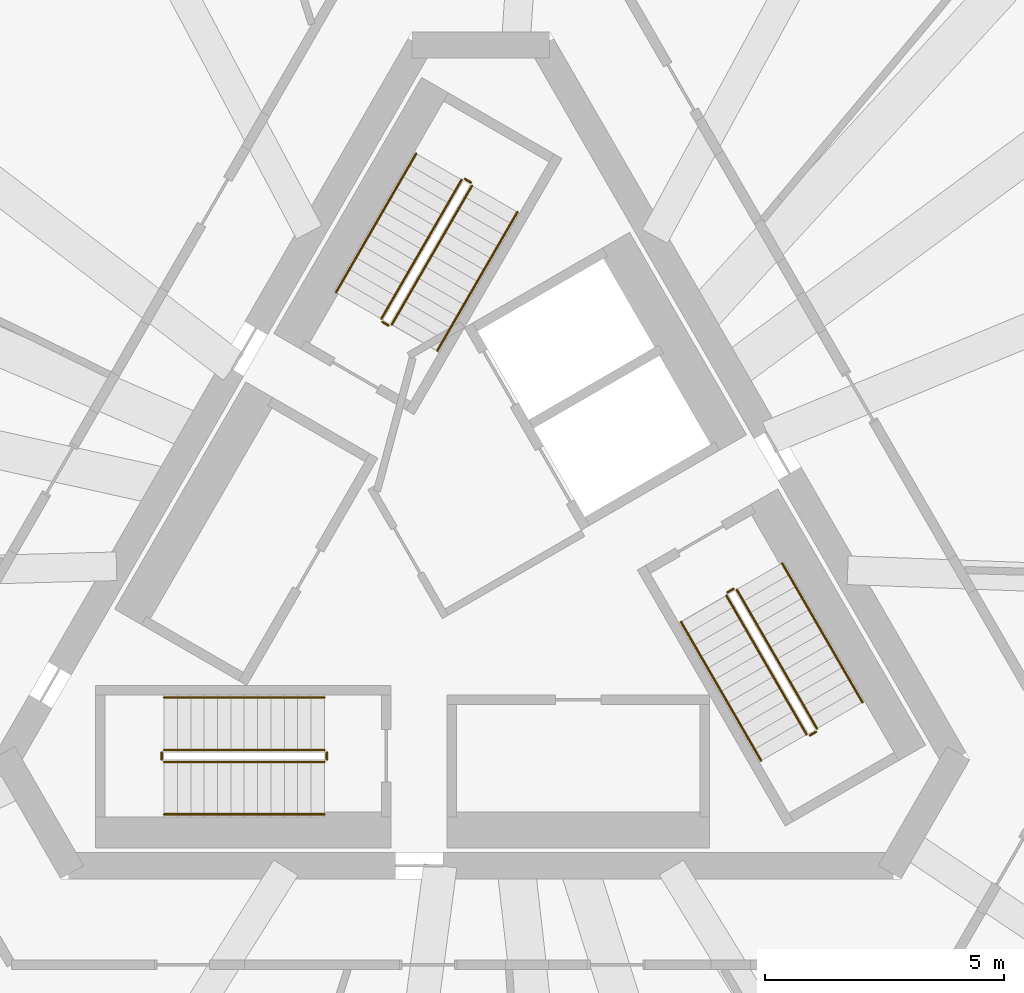
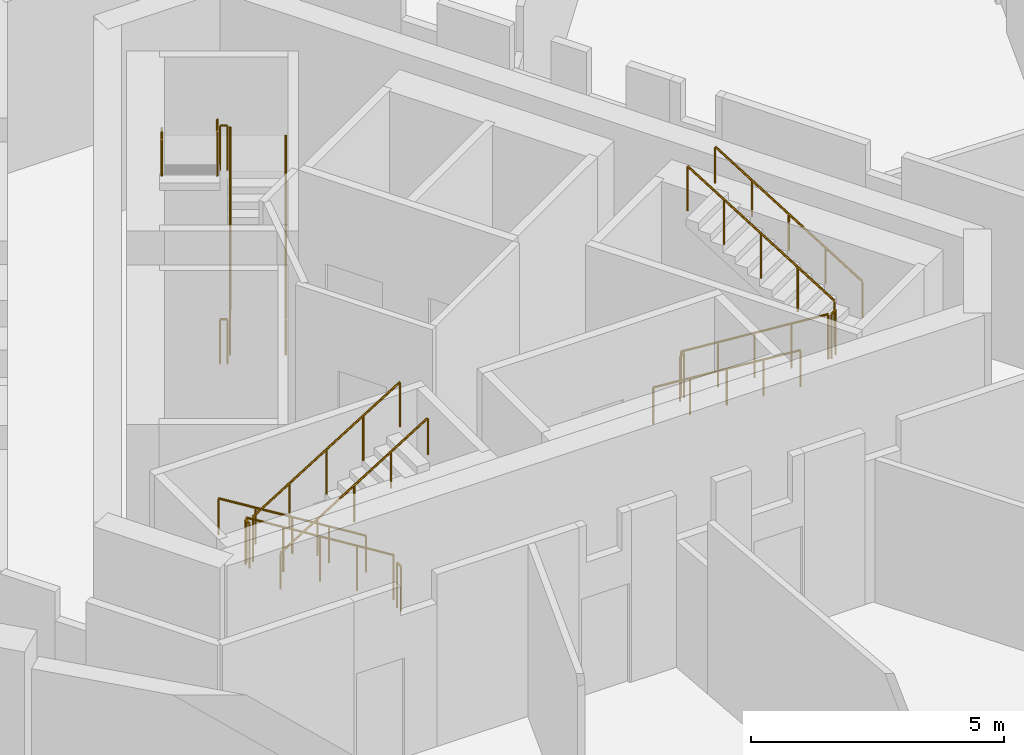
# One storey, part 5 of 5: 18 railings.
"""IFC4 building model written with IfcOpenShell, lengths in metres."""

from ifc_helpers import new_model, si_unit, direction, frame, origin, origin_2d, place, context, subcontext, project, spatial, circle, extrude, material, type_object, element, save


model = new_model("IFC4")

# Units and contexts
model_context = context("Model", 3, precision=1e-05, world=origin(), true_north=direction((0.0, 1.0)))
body_context = subcontext(model_context, "Body", "Model", "MODEL_VIEW")
ifc_project = project(units=[si_unit("LENGTHUNIT", "METRE"), si_unit("AREAUNIT", "SQUARE_METRE"), si_unit("VOLUMEUNIT", "CUBIC_METRE"), si_unit("PLANEANGLEUNIT", "RADIAN"), si_unit("MASSUNIT", "GRAM", prefix="KILO")], contexts=[model_context])

# Site, building, storey
site_placement = place(None, origin())
site = spatial("IfcSite", under=ifc_project, at=site_placement, CompositionType="ELEMENT")
building_placement = place(site_placement, origin())
building = spatial("IfcBuilding", under=site, at=building_placement, Name="Tramontana Tower", CompositionType="ELEMENT")
storey_placement = place(building_placement, frame((0.0, 0.0, 361.39990234375)))
storey = spatial("IfcBuildingStorey", under=building, at=storey_placement, Name="L83", CompositionType="ELEMENT", Elevation=361.39990234375)

# Railings
ifc_material_1 = material(Name="Painted steel", Category="steel")
railing_type_1 = type_object("IfcRailingType", Name="STAIR GUARD 1100", PredefinedType="GUARDRAIL", material=ifc_material_1)
railing_1_placement = place(storey_placement, frame((-1.867431640625, 4.865478515625, 0.173095703125)))
element("IfcRailing", 1, at=railing_1_placement, inside=storey, type_object=railing_type_1, Name="L83 ST1 stair guard 1", PredefinedType="GUARDRAIL", context=body_context, shape_type="SweptSolid", body=[
    extrude(circle(Radius=0.02392578125, at=origin_2d()), frame((0.0, 0.0, 1.076171875), z_axis=(0.425288379326, 0.736667954249, 0.525785240943), x_axis=(-0.866039179741, 0.499976138585, 0.0)), (0.0, 0.0, 1.0), 3.9501953125),
    extrude(circle(Radius=0.02099609375, at=origin_2d()), origin(), (0.0, 0.0, 1.0), 1.052001953125),
    extrude(circle(Radius=0.02099609375, at=origin_2d()), frame((0.419921875, 0.7275390625, 0.519287109375)), (0.0, 0.0, 1.0), 1.052001953125),
    extrude(circle(Radius=0.02099609375, at=origin_2d()), frame((0.83984375, 1.455078125, 1.03857421875)), (0.0, 0.0, 1.0), 1.052001953125),
    extrude(circle(Radius=0.02099609375, at=origin_2d()), frame((1.260009765625, 2.182373046875, 1.5576171875)), (0.0, 0.0, 1.0), 1.052001953125),
    extrude(circle(Radius=0.02099609375, at=origin_2d()), frame((1.679931640625, 2.909912109375, 2.076904296875)), (0.0, 0.0, 1.0), 1.052001953125),
])
railing_2_placement = place(storey_placement, frame((-0.40380859375, 7.900390625, 2.423095703125)))
element("IfcRailing", 2, at=railing_2_placement, inside=storey, type_object=railing_type_1, Name="L83 ST1 stair guard 2", PredefinedType="GUARDRAIL", context=body_context, shape_type="SweptSolid", body=[
    extrude(circle(Radius=0.02392578125, at=origin_2d()), frame((0.0, 0.0, 1.076171875), z_axis=(-0.42533900462, -0.736648589954, 0.52577141998), x_axis=(0.866007717299, -0.500030632641, 0.0)), (0.0, 0.0, 1.0), 3.9501953125),
    extrude(circle(Radius=0.02099609375, at=origin_2d()), origin(), (0.0, 0.0, 1.0), 1.052001953125),
    extrude(circle(Radius=0.02099609375, at=origin_2d()), frame((-0.419921875, -0.7275390625, 0.519287109375)), (0.0, 0.0, 1.0), 1.052001953125),
    extrude(circle(Radius=0.02099609375, at=origin_2d()), frame((-0.840087890625, -1.455078125, 1.03857421875)), (0.0, 0.0, 1.0), 1.052001953125),
    extrude(circle(Radius=0.02099609375, at=origin_2d()), frame((-1.26025390625, -2.182373046875, 1.5576171875)), (0.0, 0.0, 1.0), 1.052001953125),
    extrude(circle(Radius=0.02099609375, at=origin_2d()), frame((-1.68017578125, -2.909912109375, 2.076904296875)), (0.0, 0.0, 1.0), 1.052001953125),
])
railing_3_placement = place(storey_placement, frame((-0.205810546875, 7.84375, 2.25)))
element("IfcRailing", 3, at=railing_3_placement, inside=storey, type_object=railing_type_1, Name="L83 ST1 stair guard 3", PredefinedType="GUARDRAIL", context=body_context, shape_type="SweptSolid", body=[
    extrude(circle(Radius=0.02392578125, at=origin_2d()), frame((0.0, 0.0, 1.076171875), z_axis=(-0.866131372301, 0.499816412211, 0.0), x_axis=(-0.499816412211, -0.866131372301, 0.0)), (0.0, 0.0, 1.0), 0.14990234375),
    extrude(circle(Radius=0.02099609375, at=origin_2d()), origin(), (0.0, 0.0, 1.0), 1.052001953125),
    extrude(circle(Radius=0.02099609375, at=origin_2d()), frame((-0.1298828125, 0.074951171875, 0.0)), (0.0, 0.0, 1.0), 1.052001953125),
])
railing_4_placement = place(storey_placement, frame((-1.935791015625, 4.84716796875, 0.0)))
element("IfcRailing", 4, at=railing_4_placement, inside=storey, type_object=railing_type_1, Name="L83 ST1 stair guard 4", PredefinedType="GUARDRAIL", context=body_context, shape_type="SweptSolid", body=[
    extrude(circle(Radius=0.02392578125, at=origin_2d()), frame((0.0, 0.0, 1.076171875), z_axis=(-0.865426285481, 0.501036270542, 0.0), x_axis=(-0.501036270542, -0.865426285481, 0.0)), (0.0, 0.0, 1.0), 0.150146484375),
    extrude(circle(Radius=0.02099609375, at=origin_2d()), origin(), (0.0, 0.0, 1.0), 1.052001953125),
    extrude(circle(Radius=0.02099609375, at=origin_2d()), frame((-0.1298828125, 0.0751953125, 0.0)), (0.0, 0.0, 1.0), 1.052001953125),
])
railing_5_placement = place(storey_placement, frame((-3.280029296875, -4.050048828125, 0.173095703125)))
element("IfcRailing", 5, at=railing_5_placement, inside=storey, type_object=railing_type_1, Name="L83 ST2 stair guard 1", PredefinedType="GUARDRAIL", context=body_context, shape_type="SweptSolid", body=[
    extrude(circle(Radius=0.02392578125, at=origin_2d()), frame((0.0, 0.0, 1.076171875), z_axis=(-0.850606129759, 0.0, 0.525803396734), x_axis=(0.0, -1.0, 0.0)), (0.0, 0.0, 1.0), 3.949951171875),
    extrude(circle(Radius=0.02099609375, at=origin_2d()), origin(), (0.0, 0.0, 1.0), 1.052001953125),
    extrude(circle(Radius=0.02099609375, at=origin_2d()), frame((-0.83984375, 0.0, 0.519287109375)), (0.0, 0.0, 1.0), 1.052001953125),
    extrude(circle(Radius=0.02099609375, at=origin_2d()), frame((-1.679931640625, 0.0, 1.03857421875)), (0.0, 0.0, 1.0), 1.052001953125),
    extrude(circle(Radius=0.02099609375, at=origin_2d()), frame((-2.52001953125, 0.0, 1.5576171875)), (0.0, 0.0, 1.0), 1.052001953125),
    extrude(circle(Radius=0.02099609375, at=origin_2d()), frame((-3.35986328125, 0.0, 2.076904296875)), (0.0, 0.0, 1.0), 1.052001953125),
])
railing_6_placement = place(storey_placement, frame((-6.639892578125, -4.300048828125, 2.423095703125)))
element("IfcRailing", 6, at=railing_6_placement, inside=storey, type_object=railing_type_1, Name="L83 ST2 stair guard 2", PredefinedType="GUARDRAIL", context=body_context, shape_type="SweptSolid", body=[
    extrude(circle(Radius=0.02392578125, at=origin_2d()), frame((0.0, 0.0, 1.076171875), z_axis=(0.850606129759, 0.0, 0.525803396734), x_axis=(0.0, 1.0, 0.0)), (0.0, 0.0, 1.0), 3.949951171875),
    extrude(circle(Radius=0.02099609375, at=origin_2d()), origin(), (0.0, 0.0, 1.0), 1.052001953125),
    extrude(circle(Radius=0.02099609375, at=origin_2d()), frame((0.83984375, 0.0, 0.519287109375)), (0.0, 0.0, 1.0), 1.052001953125),
    extrude(circle(Radius=0.02099609375, at=origin_2d()), frame((1.679931640625, 0.0, 1.03857421875)), (0.0, 0.0, 1.0), 1.052001953125),
    extrude(circle(Radius=0.02099609375, at=origin_2d()), frame((2.52001953125, 0.0, 1.5576171875)), (0.0, 0.0, 1.0), 1.052001953125),
    extrude(circle(Radius=0.02099609375, at=origin_2d()), frame((3.35986328125, 0.0, 2.076904296875)), (0.0, 0.0, 1.0), 1.052001953125),
])
for number, where, name in (
    (7, (-6.68994140625, -4.10009765625, 2.25), "L83 ST2 stair guard 3"),
    (8, (-3.22998046875, -4.10009765625, 0.0), "L83 ST2 stair guard 4"),
):
    element("IfcRailing", number, at=place(storey_placement, frame(where)), inside=storey, type_object=railing_type_1, Name=name, PredefinedType="GUARDRAIL", context=body_context, shape_type="SweptSolid", body=[
        extrude(circle(Radius=0.02392578125, at=origin_2d()), frame((0.0, 0.0, 1.076171875), z_axis=(0.0, -1.0, 0.0), x_axis=(1.0, 0.0, 0.0)), (0.0, 0.0, 1.0), 0.14990234375),
        extrude(circle(Radius=0.02099609375, at=origin_2d()), origin(), (0.0, 0.0, 1.0), 1.052001953125),
        extrude(circle(Radius=0.02099609375, at=origin_2d()), frame((0.0, -0.14990234375, 0.0)), (0.0, 0.0, 1.0), 1.052001953125),
    ])
railing_7_placement = place(storey_placement, frame((5.1474609375, -0.815673828125, 0.173095703125)))
element("IfcRailing", 9, at=railing_7_placement, inside=storey, type_object=railing_type_1, Name="L83 ST3 stair guard 1", PredefinedType="GUARDRAIL", context=body_context, shape_type="SweptSolid", body=[
    extrude(circle(Radius=0.02392578125, at=origin_2d()), frame((0.0, 0.0, 1.076171875), z_axis=(0.425307743487, -0.736639687092, 0.525809180911), x_axis=(0.866021014662, 0.500007602105, 0.0)), (0.0, 0.0, 1.0), 3.949951171875),
    extrude(circle(Radius=0.02099609375, at=origin_2d()), origin(), (0.0, 0.0, 1.0), 1.052001953125),
    extrude(circle(Radius=0.02099609375, at=origin_2d()), frame((0.419921875, -0.7275390625, 0.519287109375)), (0.0, 0.0, 1.0), 1.052001953125),
    extrude(circle(Radius=0.02099609375, at=origin_2d()), frame((0.83984375, -1.454833984375, 1.03857421875)), (0.0, 0.0, 1.0), 1.052001953125),
    extrude(circle(Radius=0.02099609375, at=origin_2d()), frame((1.260009765625, -2.18212890625, 1.5576171875)), (0.0, 0.0, 1.0), 1.052001953125),
    extrude(circle(Radius=0.02099609375, at=origin_2d()), frame((1.679931640625, -2.90966796875, 2.076904296875)), (0.0, 0.0, 1.0), 1.052001953125),
])
railing_8_placement = place(storey_placement, frame((7.0439453125, -3.600341796875, 2.423095703125)))
element("IfcRailing", 10, at=railing_8_placement, inside=storey, type_object=railing_type_1, Name="L83 ST3 stair guard 2", PredefinedType="GUARDRAIL", context=body_context, shape_type="SweptSolid", body=[
    extrude(circle(Radius=0.02392578125, at=origin_2d()), frame((0.0, 0.0, 1.076171875), z_axis=(-0.425307743487, 0.736639687092, 0.525809180911), x_axis=(-0.866021014662, -0.500007602105, 0.0)), (0.0, 0.0, 1.0), 3.949951171875),
    extrude(circle(Radius=0.02099609375, at=origin_2d()), origin(), (0.0, 0.0, 1.0), 1.052001953125),
    extrude(circle(Radius=0.02099609375, at=origin_2d()), frame((-0.419921875, 0.7275390625, 0.519287109375)), (0.0, 0.0, 1.0), 1.052001953125),
    extrude(circle(Radius=0.02099609375, at=origin_2d()), frame((-0.83984375, 1.454833984375, 1.03857421875)), (0.0, 0.0, 1.0), 1.052001953125),
    extrude(circle(Radius=0.02099609375, at=origin_2d()), frame((-1.260009765625, 2.18212890625, 1.5576171875)), (0.0, 0.0, 1.0), 1.052001953125),
    extrude(circle(Radius=0.02099609375, at=origin_2d()), frame((-1.679931640625, 2.90966796875, 2.076904296875)), (0.0, 0.0, 1.0), 1.052001953125),
])
for number, where, name in (
    (11, (6.895751953125, -3.74365234375, 2.25), "L83 ST3 stair guard 3"),
    (12, (5.165771484375, -0.747314453125, 0.0), "L83 ST3 stair guard 4"),
):
    element("IfcRailing", number, at=place(storey_placement, frame(where)), inside=storey, type_object=railing_type_1, Name=name, PredefinedType="GUARDRAIL", context=body_context, shape_type="SweptSolid", body=[
        extrude(circle(Radius=0.02392578125, at=origin_2d()), frame((0.0, 0.0, 1.076171875), z_axis=(0.866131372301, 0.499816412211, 0.0), x_axis=(-0.499816412211, 0.866131372301, 0.0)), (0.0, 0.0, 1.0), 0.14990234375),
        extrude(circle(Radius=0.02099609375, at=origin_2d()), origin(), (0.0, 0.0, 1.0), 1.052001953125),
        extrude(circle(Radius=0.02099609375, at=origin_2d()), frame((0.1298828125, 0.074951171875, 0.0)), (0.0, 0.0, 1.0), 1.052001953125),
    ])
ifc_material_2 = material(Name="Painted steel", Category="steel")
railing_type_2 = type_object("IfcRailingType", Name="STAIR HANDRAIL 900", PredefinedType="HANDRAIL", material=ifc_material_2)
railing_9_placement = place(storey_placement, frame((-0.914794921875, 4.315673828125, 0.173095703125)))
element("IfcRailing", 13, at=railing_9_placement, inside=storey, type_object=railing_type_2, Name="L83 ST1 stair handrail 1", PredefinedType="HANDRAIL", context=body_context, shape_type="SweptSolid", body=[
    extrude(circle(Radius=0.02392578125, at=origin_2d()), frame((0.0, 0.0, 0.8759765625), z_axis=(0.425307743487, 0.736639687092, 0.525809180911), x_axis=(-0.866021014662, 0.500007602105, 0.0)), (0.0, 0.0, 1.0), 3.949951171875),
    extrude(circle(Radius=0.02099609375, at=origin_2d()), origin(), (0.0, 0.0, 1.0), 0.851806640625),
    extrude(circle(Radius=0.02099609375, at=origin_2d()), frame((0.419921875, 0.7275390625, 0.519287109375)), (0.0, 0.0, 1.0), 0.851806640625),
    extrude(circle(Radius=0.02099609375, at=origin_2d()), frame((0.83984375, 1.454833984375, 1.03857421875)), (0.0, 0.0, 1.0), 0.851806640625),
    extrude(circle(Radius=0.02099609375, at=origin_2d()), frame((1.260009765625, 2.18212890625, 1.5576171875)), (0.0, 0.0, 1.0), 0.851806640625),
    extrude(circle(Radius=0.02099609375, at=origin_2d()), frame((1.679931640625, 2.90966796875, 2.076904296875)), (0.0, 0.0, 1.0), 0.851806640625),
])
railing_10_placement = place(storey_placement, frame((-1.3564453125, 8.450439453125, 2.423095703125)))
element("IfcRailing", 14, at=railing_10_placement, inside=storey, type_object=railing_type_2, Name="L83 ST1 stair handrail 2", PredefinedType="HANDRAIL", context=body_context, shape_type="SweptSolid", body=[
    extrude(circle(Radius=0.02392578125, at=origin_2d()), frame((0.0, 0.0, 0.8759765625), z_axis=(-0.42533900462, -0.736648589954, 0.52577141998), x_axis=(0.866007717299, -0.500030632641, 0.0)), (0.0, 0.0, 1.0), 3.9501953125),
    extrude(circle(Radius=0.02099609375, at=origin_2d()), origin(), (0.0, 0.0, 1.0), 0.851806640625),
    extrude(circle(Radius=0.02099609375, at=origin_2d()), frame((-0.419921875, -0.7275390625, 0.519287109375)), (0.0, 0.0, 1.0), 0.851806640625),
    extrude(circle(Radius=0.02099609375, at=origin_2d()), frame((-0.840087890625, -1.455078125, 1.03857421875)), (0.0, 0.0, 1.0), 0.851806640625),
    extrude(circle(Radius=0.02099609375, at=origin_2d()), frame((-1.26025390625, -2.182373046875, 1.5576171875)), (0.0, 0.0, 1.0), 0.851806640625),
    extrude(circle(Radius=0.02099609375, at=origin_2d()), frame((-1.68017578125, -2.909912109375, 2.076904296875)), (0.0, 0.0, 1.0), 0.851806640625),
])
railing_11_placement = place(storey_placement, frame((-3.280029296875, -2.949951171875, 0.173095703125)))
element("IfcRailing", 15, at=railing_11_placement, inside=storey, type_object=railing_type_2, Name="L83 ST2 stair handrail 1", PredefinedType="HANDRAIL", context=body_context, shape_type="SweptSolid", body=[
    extrude(circle(Radius=0.02392578125, at=origin_2d()), frame((0.0, 0.0, 0.8759765625), z_axis=(-0.850606129759, 0.0, 0.525803396734), x_axis=(0.0, -1.0, 0.0)), (0.0, 0.0, 1.0), 3.949951171875),
    extrude(circle(Radius=0.02099609375, at=origin_2d()), origin(), (0.0, 0.0, 1.0), 0.851806640625),
    extrude(circle(Radius=0.02099609375, at=origin_2d()), frame((-0.83984375, 0.0, 0.519287109375)), (0.0, 0.0, 1.0), 0.851806640625),
    extrude(circle(Radius=0.02099609375, at=origin_2d()), frame((-1.679931640625, 0.0, 1.03857421875)), (0.0, 0.0, 1.0), 0.851806640625),
    extrude(circle(Radius=0.02099609375, at=origin_2d()), frame((-2.52001953125, 0.0, 1.5576171875)), (0.0, 0.0, 1.0), 0.851806640625),
    extrude(circle(Radius=0.02099609375, at=origin_2d()), frame((-3.35986328125, 0.0, 2.076904296875)), (0.0, 0.0, 1.0), 0.851806640625),
])
railing_12_placement = place(storey_placement, frame((-6.639892578125, -5.39990234375, 2.423095703125)))
element("IfcRailing", 16, at=railing_12_placement, inside=storey, type_object=railing_type_2, Name="L83 ST2 stair handrail 2", PredefinedType="HANDRAIL", context=body_context, shape_type="SweptSolid", body=[
    extrude(circle(Radius=0.02392578125, at=origin_2d()), frame((0.0, 0.0, 0.8759765625), z_axis=(0.850606129759, 0.0, 0.525803396734), x_axis=(0.0, 1.0, 0.0)), (0.0, 0.0, 1.0), 3.949951171875),
    extrude(circle(Radius=0.02099609375, at=origin_2d()), origin(), (0.0, 0.0, 1.0), 0.851806640625),
    extrude(circle(Radius=0.02099609375, at=origin_2d()), frame((0.83984375, 0.0, 0.519287109375)), (0.0, 0.0, 1.0), 0.851806640625),
    extrude(circle(Radius=0.02099609375, at=origin_2d()), frame((1.679931640625, 0.0, 1.03857421875)), (0.0, 0.0, 1.0), 0.851806640625),
    extrude(circle(Radius=0.02099609375, at=origin_2d()), frame((2.52001953125, 0.0, 1.5576171875)), (0.0, 0.0, 1.0), 0.851806640625),
    extrude(circle(Radius=0.02099609375, at=origin_2d()), frame((3.35986328125, 0.0, 2.076904296875)), (0.0, 0.0, 1.0), 0.851806640625),
])
railing_13_placement = place(storey_placement, frame((4.19482421875, -1.365478515625, 0.173095703125)))
element("IfcRailing", 17, at=railing_13_placement, inside=storey, type_object=railing_type_2, Name="L83 ST3 stair handrail 1", PredefinedType="HANDRAIL", context=body_context, shape_type="SweptSolid", body=[
    extrude(circle(Radius=0.02392578125, at=origin_2d()), frame((0.0, 0.0, 0.8759765625), z_axis=(0.425288379326, -0.736667954249, 0.525785240943), x_axis=(0.866039179741, 0.499976138585, 0.0)), (0.0, 0.0, 1.0), 3.9501953125),
    extrude(circle(Radius=0.02099609375, at=origin_2d()), origin(), (0.0, 0.0, 1.0), 0.851806640625),
    extrude(circle(Radius=0.02099609375, at=origin_2d()), frame((0.419921875, -0.7275390625, 0.519287109375)), (0.0, 0.0, 1.0), 0.851806640625),
    extrude(circle(Radius=0.02099609375, at=origin_2d()), frame((0.83984375, -1.455078125, 1.03857421875)), (0.0, 0.0, 1.0), 0.851806640625),
    extrude(circle(Radius=0.02099609375, at=origin_2d()), frame((1.260009765625, -2.182373046875, 1.5576171875)), (0.0, 0.0, 1.0), 0.851806640625),
    extrude(circle(Radius=0.02099609375, at=origin_2d()), frame((1.679931640625, -2.909912109375, 2.076904296875)), (0.0, 0.0, 1.0), 0.851806640625),
])
railing_14_placement = place(storey_placement, frame((7.99658203125, -3.05029296875, 2.423095703125)))
element("IfcRailing", 18, at=railing_14_placement, inside=storey, type_object=railing_type_2, Name="L83 ST3 stair handrail 2", PredefinedType="HANDRAIL", context=body_context, shape_type="SweptSolid", body=[
    extrude(circle(Radius=0.02392578125, at=origin_2d()), frame((0.0, 0.0, 0.8759765625), z_axis=(-0.425307743487, 0.736639687092, 0.525809180911), x_axis=(-0.866021014662, -0.500007602105, 0.0)), (0.0, 0.0, 1.0), 3.949951171875),
    extrude(circle(Radius=0.02099609375, at=origin_2d()), origin(), (0.0, 0.0, 1.0), 0.851806640625),
    extrude(circle(Radius=0.02099609375, at=origin_2d()), frame((-0.419921875, 0.7275390625, 0.519287109375)), (0.0, 0.0, 1.0), 0.851806640625),
    extrude(circle(Radius=0.02099609375, at=origin_2d()), frame((-0.83984375, 1.454833984375, 1.03857421875)), (0.0, 0.0, 1.0), 0.851806640625),
    extrude(circle(Radius=0.02099609375, at=origin_2d()), frame((-1.260009765625, 2.18212890625, 1.5576171875)), (0.0, 0.0, 1.0), 0.851806640625),
    extrude(circle(Radius=0.02099609375, at=origin_2d()), frame((-1.679931640625, 2.90966796875, 2.076904296875)), (0.0, 0.0, 1.0), 0.851806640625),
])

save(model, "model.ifc")
